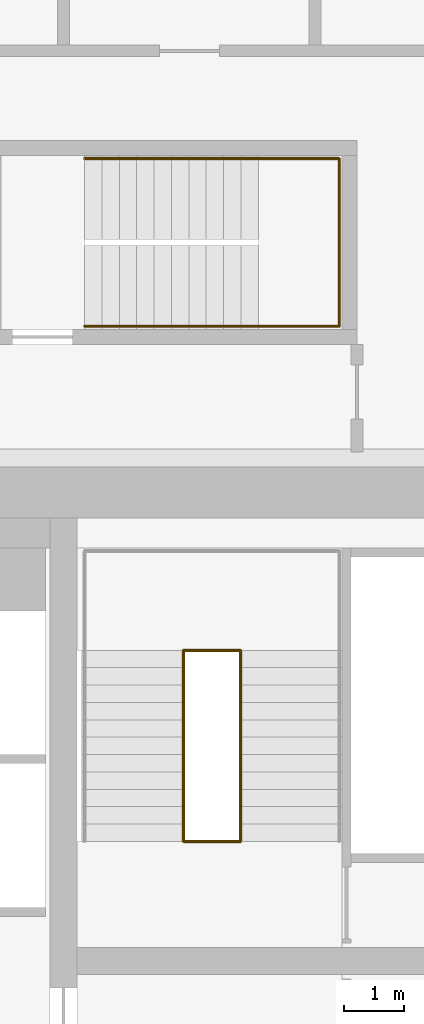
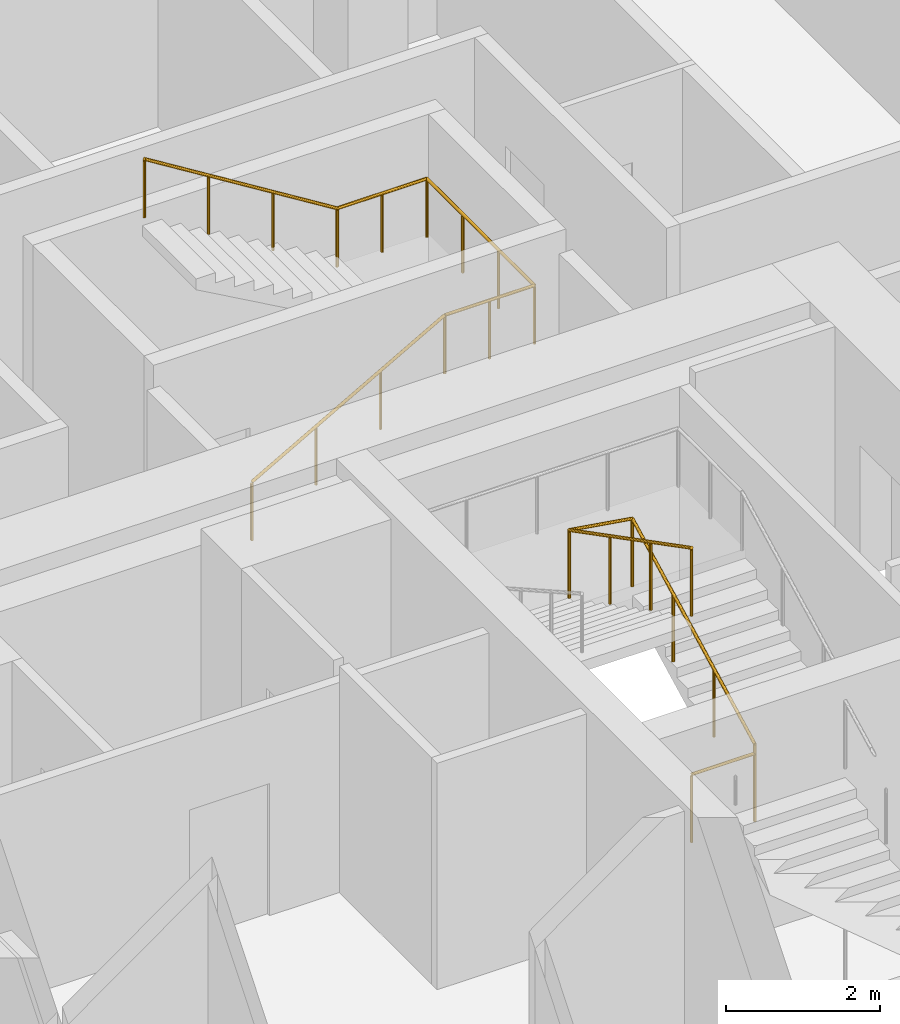
# One storey, part 23 of 23: 2 railings.
"""IFC4 building model written with IfcOpenShell, lengths in metres."""

from ifc_helpers import new_model, si_unit, direction, frame, origin, origin_2d, place, context, subcontext, project, spatial, circle, extrude, material, type_object, element, save


model = new_model("IFC4")

# Units and contexts
model_context = context("Model", 3, precision=1e-05, world=origin(), true_north=direction((0.0, 1.0)))
body_context = subcontext(model_context, "Body", "Model", "MODEL_VIEW")
ifc_project = project(units=[si_unit("LENGTHUNIT", "METRE"), si_unit("AREAUNIT", "SQUARE_METRE"), si_unit("VOLUMEUNIT", "CUBIC_METRE"), si_unit("PLANEANGLEUNIT", "RADIAN"), si_unit("MASSUNIT", "GRAM", prefix="KILO")], contexts=[model_context])

# Site, building, storey
site_placement = place(None, origin())
site = spatial("IfcSite", under=ifc_project, at=site_placement, CompositionType="ELEMENT")
building_placement = place(site_placement, origin())
building = spatial("IfcBuilding", under=site, at=building_placement, Name="Marenta Gate Hotel Tower", CompositionType="ELEMENT")
storey_placement = place(building_placement, frame((0.0, 0.0, 126.5)))
storey = spatial("IfcBuildingStorey", under=building, at=storey_placement, Name="L28", CompositionType="ELEMENT", Elevation=126.5)

# Railings
ifc_material_1 = material(Name="Stainless steel", Category="steel")
railing_type_1 = type_object("IfcRailingType", Name="Core stair handrail 950", PredefinedType="HANDRAIL", material=ifc_material_1)
railing_1_placement = place(storey_placement, frame((4.550048828125, 19.0, 0.16357421875)))
element("IfcRailing", 1, at=railing_1_placement, inside=storey, type_object=railing_type_1, Name="HR-950 L28-RS-Z2-4-KR-1", PredefinedType="HANDRAIL", context=body_context, shape_type="SweptSolid", body=[
    extrude(circle(Radius=0.02392578125, at=origin_2d()), frame((0.0, 0.0, 0.92578125), z_axis=(0.870897200241, 0.0, 0.491465224214), x_axis=(0.0, 1.0, 0.0)), (0.0, 0.0, 1.0), 3.329833984375),
    extrude(circle(Radius=0.02392578125, at=origin_2d()), frame((2.89990234375, 0.0, 2.5625), z_axis=(1.0, 0.0, 0.0), x_axis=(0.0, 1.0, 0.0)), (0.0, 0.0, 1.0), 1.35009765625),
    extrude(circle(Radius=0.02392578125, at=origin_2d()), frame((4.25, 0.0, 2.5625), z_axis=(0.0, 1.0, 0.0), x_axis=(-1.0, 0.0, 0.0)), (0.0, 0.0, 1.0), 2.800048828125),
    extrude(circle(Radius=0.02392578125, at=origin_2d()), frame((4.25, 2.800048828125, 2.5625), z_axis=(-1.0, 0.0, 0.0), x_axis=(0.0, -1.0, 0.0)), (0.0, 0.0, 1.0), 1.35009765625),
    extrude(circle(Radius=0.02392578125, at=origin_2d()), frame((2.89990234375, 2.800048828125, 2.5625), z_axis=(-0.849625798611, 0.0, 0.527386008853), x_axis=(0.0, -1.0, 0.0)), (0.0, 0.0, 1.0), 3.4130859375),
    extrude(circle(Radius=0.02099609375, at=origin_2d()), origin(), (0.0, 0.0, 1.0), 0.90185546875),
    extrude(circle(Radius=0.02099609375, at=origin_2d()), frame((0.966552734375, 0.0, 0.54541015625)), (0.0, 0.0, 1.0), 0.90185546875),
    extrude(circle(Radius=0.02099609375, at=origin_2d()), frame((1.933349609375, 0.0, 1.091064453125)), (0.0, 0.0, 1.0), 0.90185546875),
    extrude(circle(Radius=0.02099609375, at=origin_2d()), frame((2.89990234375, 0.0, 1.636474609375)), (0.0, 0.0, 1.0), 0.90185546875),
    extrude(circle(Radius=0.02099609375, at=origin_2d()), frame((3.574951171875, 0.0, 1.636474609375)), (0.0, 0.0, 1.0), 0.90185546875),
    extrude(circle(Radius=0.02099609375, at=origin_2d()), frame((4.25, 0.0, 1.636474609375)), (0.0, 0.0, 1.0), 0.90185546875),
    extrude(circle(Radius=0.02099609375, at=origin_2d()), frame((4.25, 0.933349609375, 1.636474609375)), (0.0, 0.0, 1.0), 0.90185546875),
    extrude(circle(Radius=0.02099609375, at=origin_2d()), frame((4.25, 1.86669921875, 1.636474609375)), (0.0, 0.0, 1.0), 0.90185546875),
    extrude(circle(Radius=0.02099609375, at=origin_2d()), frame((4.25, 2.800048828125, 1.636474609375)), (0.0, 0.0, 1.0), 0.90185546875),
    extrude(circle(Radius=0.02099609375, at=origin_2d()), frame((3.574951171875, 2.800048828125, 1.636474609375)), (0.0, 0.0, 1.0), 0.90185546875),
    extrude(circle(Radius=0.02099609375, at=origin_2d()), frame((2.89990234375, 2.800048828125, 1.636474609375)), (0.0, 0.0, 1.0), 0.90185546875),
    extrude(circle(Radius=0.02099609375, at=origin_2d()), frame((1.933349609375, 2.800048828125, 2.236572265625)), (0.0, 0.0, 1.0), 0.90185546875),
    extrude(circle(Radius=0.02099609375, at=origin_2d()), frame((0.966552734375, 2.800048828125, 2.83642578125)), (0.0, 0.0, 1.0), 0.90185546875),
    extrude(circle(Radius=0.02099609375, at=origin_2d()), frame((0.0, 2.800048828125, 3.4365234375)), (0.0, 0.0, 1.0), 0.90185546875),
])
ifc_material_2 = material(Name="Stainless steel", Category="steel")
railing_type_2 = type_object("IfcRailingType", Name="Core stair well guard 1100", PredefinedType="GUARDRAIL", material=ifc_material_2)
railing_2_placement = place(storey_placement, frame((6.199951171875, 10.39990234375, 0.0)))
element("IfcRailing", 2, at=railing_2_placement, inside=storey, type_object=railing_type_2, Name="GR-1100 L28-KR-ST4-2", PredefinedType="GUARDRAIL", context=body_context, shape_type="SweptSolid", body=[
    extrude(circle(Radius=0.02392578125, at=origin_2d()), frame((0.0, 0.0, 1.076171875), z_axis=(1.0, 0.0, 0.0), x_axis=(0.0, 1.0, 0.0)), (0.0, 0.0, 1.0), 0.949951171875),
    extrude(circle(Radius=0.02392578125, at=origin_2d()), frame((0.949951171875, 0.0, 1.076171875), z_axis=(0.0, 0.0, 1.0), x_axis=(1.0, 0.0, 0.0)), (0.0, 0.0, 1.0), 0.14990234375),
    extrude(circle(Radius=0.02392578125, at=origin_2d()), frame((0.949951171875, 0.0, 1.22607421875), z_axis=(0.0, 0.888211904222, 0.459434013977), x_axis=(-1.0, 0.0, 0.0)), (0.0, 0.0, 1.0), 3.591796875),
    extrude(circle(Radius=0.02392578125, at=origin_2d()), frame((0.949951171875, 3.190185546875, 2.8759765625), z_axis=(-0.987777369502, 0.0, 0.15587131968), x_axis=(0.0, -1.0, 0.0)), (0.0, 0.0, 1.0), 0.961669921875),
    extrude(circle(Radius=0.02392578125, at=origin_2d()), frame((0.0, 3.190185546875, 3.02587890625), z_axis=(0.0, -0.888211904222, 0.459434013977), x_axis=(1.0, 0.0, 0.0)), (0.0, 0.0, 1.0), 3.591796875),
    extrude(circle(Radius=0.02099609375, at=origin_2d()), origin(), (0.0, 0.0, 1.0), 1.052001953125),
    extrude(circle(Radius=0.02099609375, at=origin_2d()), frame((0.949951171875, 0.0, 0.0)), (0.0, 0.0, 1.0), 1.052001953125),
    extrude(circle(Radius=0.02099609375, at=origin_2d()), frame((0.949951171875, 0.0, 0.14990234375)), (0.0, 0.0, 1.0), 1.052001953125),
    extrude(circle(Radius=0.02099609375, at=origin_2d()), frame((0.949951171875, 1.0634765625, 0.699951171875)), (0.0, 0.0, 1.0), 1.052001953125),
    extrude(circle(Radius=0.02099609375, at=origin_2d()), frame((0.949951171875, 2.126708984375, 1.25)), (0.0, 0.0, 1.0), 1.052001953125),
    extrude(circle(Radius=0.02099609375, at=origin_2d()), frame((0.949951171875, 3.190185546875, 1.800048828125)), (0.0, 0.0, 1.0), 1.052001953125),
    extrude(circle(Radius=0.02099609375, at=origin_2d()), frame((0.0, 3.190185546875, 1.949951171875)), (0.0, 0.0, 1.0), 1.052001953125),
    extrude(circle(Radius=0.02099609375, at=origin_2d()), frame((0.0, 2.126708984375, 2.5)), (0.0, 0.0, 1.0), 1.052001953125),
    extrude(circle(Radius=0.02099609375, at=origin_2d()), frame((0.0, 1.0634765625, 3.050048828125)), (0.0, 0.0, 1.0), 1.052001953125),
    extrude(circle(Radius=0.02099609375, at=origin_2d()), frame((0.0, 0.0, 3.60009765625)), (0.0, 0.0, 1.0), 1.052001953125),
])

save(model, "model.ifc")
